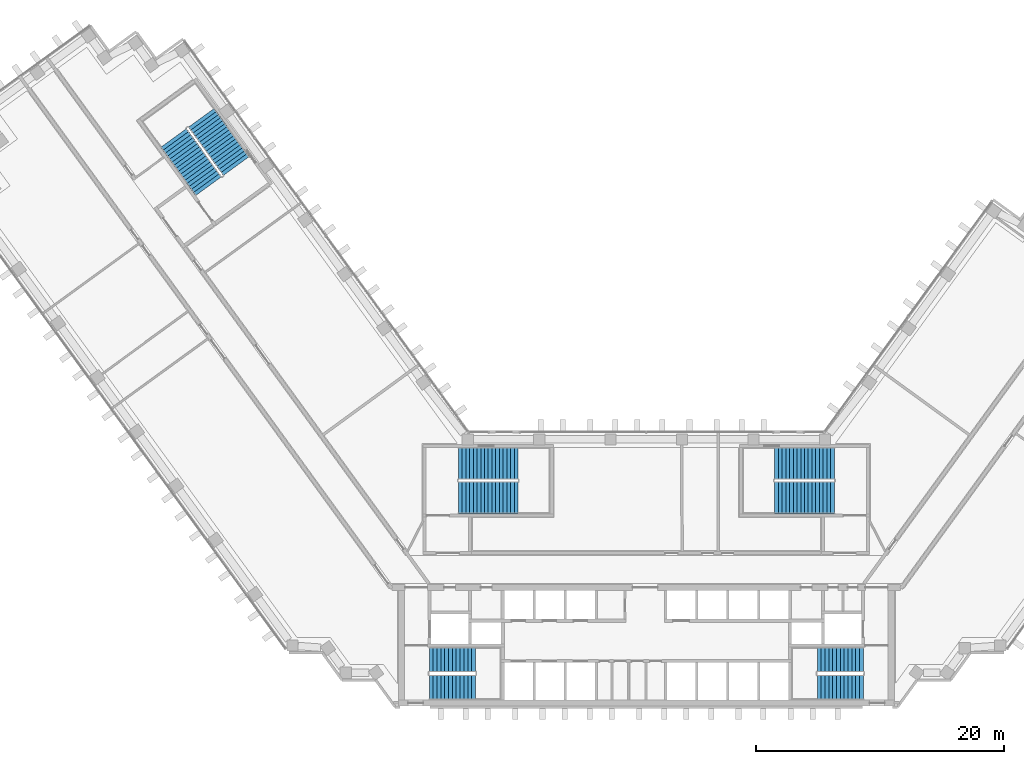
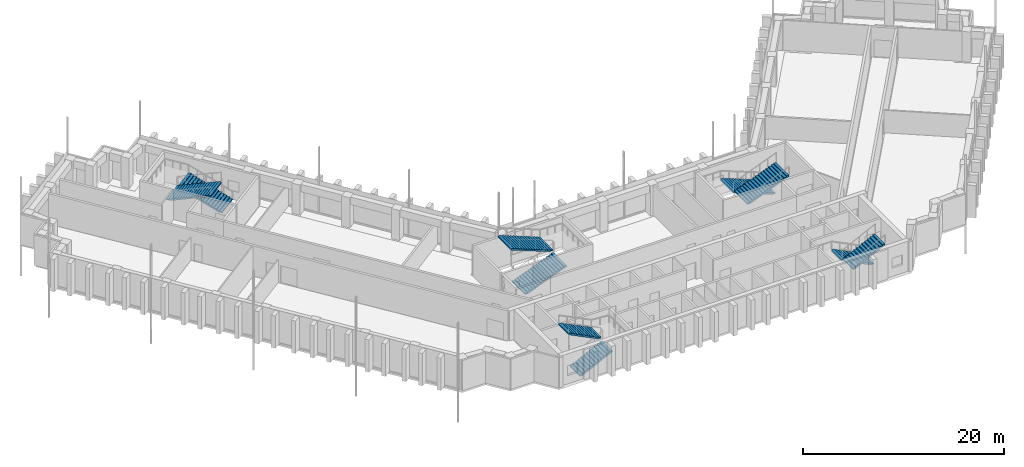
# One storey, part 14 of 16: 10 stair flights, 5 elements without a shape of their own.
"""IFC4 building model written with IfcOpenShell, lengths in metres."""

from ifc_helpers import new_model, si_unit, direction, frame, origin, place, context, subcontext, project, spatial, polyline, outline, extrude, material, type_object, element, aggregate, save


model = new_model("IFC4")

# Units and contexts
model_context = context("Model", 3, precision=1e-05, world=origin(), true_north=direction((0.0, 1.0)))
body_context = subcontext(model_context, "Body", "Model", "MODEL_VIEW")
ifc_project = project(units=[si_unit("LENGTHUNIT", "METRE"), si_unit("AREAUNIT", "SQUARE_METRE"), si_unit("VOLUMEUNIT", "CUBIC_METRE"), si_unit("PLANEANGLEUNIT", "RADIAN"), si_unit("MASSUNIT", "GRAM", prefix="KILO")], contexts=[model_context])

# Site, building, storey
site_placement = place(None, origin())
site = spatial("IfcSite", under=ifc_project, at=site_placement, CompositionType="ELEMENT")
building_placement = place(site_placement, origin())
building = spatial("IfcBuilding", under=site, at=building_placement, Name="Quipu Civic Tower", CompositionType="ELEMENT")
storey_placement = place(building_placement, frame((0.0, 0.0, 125.0)))
storey = spatial("IfcBuildingStorey", under=building, at=storey_placement, Name="L29", CompositionType="ELEMENT", Elevation=125.0)

# Stair, stair flights
ifc_material_1 = material(Name="Concrete C40/50", Category="concrete")
stair_type_1 = type_object("IfcStairType", Name="Half turn stair 2000", PredefinedType="HALF_TURN_STAIR", material=ifc_material_1)
stair_1_placement = place(storey_placement, origin())
stair_1 = element("IfcStair", 1, at=stair_1_placement, inside=storey, type_object=stair_type_1, Name="Exit stair 1", PredefinedType="HALF_TURN_STAIR")
ifc_material_2 = material(Name="Concrete C40/50", Category="concrete")
stair_flight_type_1 = type_object("IfcStairFlightType", Name="Stair flight 2000", PredefinedType="STRAIGHT", material=ifc_material_2)
stair_flight_1_placement = place(storey_placement, frame((-17.5, -9.5, 0.0), z_axis=(0.0, 0.0, 1.0), x_axis=(1.0, 0.0, 0.0)))
stair_flight_1 = element("IfcStairFlight", 2, at=stair_flight_1_placement, type_object=stair_flight_type_1, Name="ST-1 flight 1", NumberOfRisers=13, NumberOfTreads=12, PredefinedType="STRAIGHT", RiserHeight=0.153846154, TreadLength=0.31, context=body_context, shape_type="SweptSolid", body=[
    extrude(outline(polyline([(0.0, 0.0), (0.0, 0.15380859375), (0.31005859375, 0.15380859375), (0.31005859375, 0.3076171875), (0.6201171875, 0.3076171875), (0.6201171875, 0.46142578125), (0.929931640625, 0.46142578125), (0.929931640625, 0.615478515625), (1.239990234375, 0.615478515625), (1.239990234375, 0.769287109375), (1.550048828125, 0.769287109375), (1.550048828125, 0.923095703125), (1.860107421875, 0.923095703125), (1.860107421875, 1.076904296875), (2.169921875, 1.076904296875), (2.169921875, 1.230712890625), (2.47998046875, 1.230712890625), (2.47998046875, 1.384521484375), (2.7900390625, 1.384521484375), (2.7900390625, 1.53857421875), (3.10009765625, 1.53857421875), (3.10009765625, 1.6923828125), (3.409912109375, 1.6923828125), (3.409912109375, 1.84619140625), (3.719970703125, 1.84619140625), (3.719970703125, 2.0), (3.719970703125, 1.6787109375), (0.337158203125, 0.0), (0.0, 0.0)])), frame((0.0, 1.0, 0.0), z_axis=(0.0, -1.0, 0.0), x_axis=(1.0, 0.0, 0.0)), (0.0, 0.0, 1.0), 2.0),
])
stair_flight_2_placement = place(storey_placement, frame((-13.780029296875, -7.25, 2.0), z_axis=(0.0, 0.0, 1.0), x_axis=(-1.0, 0.0, 0.0)))
stair_flight_2 = element("IfcStairFlight", 3, at=stair_flight_2_placement, type_object=stair_flight_type_1, Name="ST-1 flight 2", NumberOfRisers=13, NumberOfTreads=12, PredefinedType="STRAIGHT", RiserHeight=0.153846154, TreadLength=0.31, context=body_context, shape_type="SweptSolid", body=[
    extrude(outline(polyline([(0.0, 0.0), (0.0, 0.15380859375), (0.31005859375, 0.15380859375), (0.31005859375, 0.3076171875), (0.6201171875, 0.3076171875), (0.6201171875, 0.46142578125), (0.929931640625, 0.46142578125), (0.929931640625, 0.615478515625), (1.239990234375, 0.615478515625), (1.239990234375, 0.769287109375), (1.550048828125, 0.769287109375), (1.550048828125, 0.923095703125), (1.860107421875, 0.923095703125), (1.860107421875, 1.076904296875), (2.169921875, 1.076904296875), (2.169921875, 1.230712890625), (2.47998046875, 1.230712890625), (2.47998046875, 1.384521484375), (2.7900390625, 1.384521484375), (2.7900390625, 1.53857421875), (3.10009765625, 1.53857421875), (3.10009765625, 1.6923828125), (3.409912109375, 1.6923828125), (3.409912109375, 1.84619140625), (3.719970703125, 1.84619140625), (3.719970703125, 2.0), (3.719970703125, 1.6787109375), (0.337158203125, 0.0), (0.0, 0.0)])), frame((0.0, 1.0, 0.0), z_axis=(0.0, -1.0, 0.0), x_axis=(1.0, 0.0, 0.0)), (0.0, 0.0, 1.0), 2.0),
])
aggregate(stair_1, [stair_flight_1, stair_flight_2])

stair_2_placement = place(storey_placement, origin())
stair_2 = element("IfcStair", 4, at=stair_2_placement, inside=storey, type_object=stair_type_1, Name="Exit stair 2", PredefinedType="HALF_TURN_STAIR")
stair_flight_3_placement = place(storey_placement, frame((17.5, -7.25, 0.0), z_axis=(0.0, 0.0, 1.0), x_axis=(-1.0, 0.0, 0.0)))
stair_flight_3 = element("IfcStairFlight", 5, at=stair_flight_3_placement, type_object=stair_flight_type_1, Name="ST-2 flight 1", NumberOfRisers=13, NumberOfTreads=12, PredefinedType="STRAIGHT", RiserHeight=0.153846154, TreadLength=0.31, context=body_context, shape_type="SweptSolid", body=[
    extrude(outline(polyline([(0.0, 0.0), (0.0, 0.15380859375), (0.31005859375, 0.15380859375), (0.31005859375, 0.3076171875), (0.6201171875, 0.3076171875), (0.6201171875, 0.46142578125), (0.929931640625, 0.46142578125), (0.929931640625, 0.615478515625), (1.239990234375, 0.615478515625), (1.239990234375, 0.769287109375), (1.550048828125, 0.769287109375), (1.550048828125, 0.923095703125), (1.860107421875, 0.923095703125), (1.860107421875, 1.076904296875), (2.169921875, 1.076904296875), (2.169921875, 1.230712890625), (2.47998046875, 1.230712890625), (2.47998046875, 1.384521484375), (2.7900390625, 1.384521484375), (2.7900390625, 1.53857421875), (3.10009765625, 1.53857421875), (3.10009765625, 1.6923828125), (3.409912109375, 1.6923828125), (3.409912109375, 1.84619140625), (3.719970703125, 1.84619140625), (3.719970703125, 2.0), (3.719970703125, 1.6787109375), (0.337158203125, 0.0), (0.0, 0.0)])), frame((0.0, 1.0, 0.0), z_axis=(0.0, -1.0, 0.0), x_axis=(1.0, 0.0, 0.0)), (0.0, 0.0, 1.0), 2.0),
])
stair_flight_4_placement = place(storey_placement, frame((13.780029296875, -9.5, 2.0), z_axis=(0.0, 0.0, 1.0), x_axis=(1.0, 0.0, 0.0)))
stair_flight_4 = element("IfcStairFlight", 6, at=stair_flight_4_placement, type_object=stair_flight_type_1, Name="ST-2 flight 2", NumberOfRisers=13, NumberOfTreads=12, PredefinedType="STRAIGHT", RiserHeight=0.153846154, TreadLength=0.31, context=body_context, shape_type="SweptSolid", body=[
    extrude(outline(polyline([(0.0, 0.0), (0.0, 0.15380859375), (0.31005859375, 0.15380859375), (0.31005859375, 0.3076171875), (0.6201171875, 0.3076171875), (0.6201171875, 0.46142578125), (0.929931640625, 0.46142578125), (0.929931640625, 0.615478515625), (1.239990234375, 0.615478515625), (1.239990234375, 0.769287109375), (1.550048828125, 0.769287109375), (1.550048828125, 0.923095703125), (1.860107421875, 0.923095703125), (1.860107421875, 1.076904296875), (2.169921875, 1.076904296875), (2.169921875, 1.230712890625), (2.47998046875, 1.230712890625), (2.47998046875, 1.384521484375), (2.7900390625, 1.384521484375), (2.7900390625, 1.53857421875), (3.10009765625, 1.53857421875), (3.10009765625, 1.6923828125), (3.409912109375, 1.6923828125), (3.409912109375, 1.84619140625), (3.719970703125, 1.84619140625), (3.719970703125, 2.0), (3.719970703125, 1.6787109375), (0.337158203125, 0.0), (0.0, 0.0)])), frame((0.0, 1.0, 0.0), z_axis=(0.0, -1.0, 0.0), x_axis=(1.0, 0.0, 0.0)), (0.0, 0.0, 1.0), 2.0),
])
aggregate(stair_2, [stair_flight_3, stair_flight_4])

ifc_material_3 = material(Name="Concrete C40/50", Category="concrete")
stair_type_2 = type_object("IfcStairType", Name="Half turn stair 2600", PredefinedType="HALF_TURN_STAIR", material=ifc_material_3)
stair_3_placement = place(storey_placement, origin())
stair_3 = element("IfcStair", 7, at=stair_3_placement, inside=storey, type_object=stair_type_2, Name="Exit stair 3", PredefinedType="HALF_TURN_STAIR")
ifc_material_4 = material(Name="Concrete C40/50", Category="concrete")
stair_flight_type_2 = type_object("IfcStairFlightType", Name="Stair flight 2600", PredefinedType="STRAIGHT", material=ifc_material_4)
stair_flight_5_placement = place(storey_placement, frame((-15.14990234375, 5.800048828125, 0.0), z_axis=(0.0, 0.0, 1.0), x_axis=(1.0, 0.0, 0.0)))
stair_flight_5 = element("IfcStairFlight", 8, at=stair_flight_5_placement, type_object=stair_flight_type_2, Name="ST-3 flight 1", NumberOfRisers=17, NumberOfTreads=16, PredefinedType="STRAIGHT", RiserHeight=0.117647059, TreadLength=0.3, context=body_context, shape_type="SweptSolid", body=[
    extrude(outline(polyline([(0.0, 0.0), (0.0, 0.11767578125), (0.300048828125, 0.11767578125), (0.300048828125, 0.2353515625), (0.60009765625, 0.2353515625), (0.60009765625, 0.35302734375), (0.89990234375, 0.35302734375), (0.89990234375, 0.470703125), (1.199951171875, 0.470703125), (1.199951171875, 0.588134765625), (1.5, 0.588134765625), (1.5, 0.705810546875), (1.800048828125, 0.705810546875), (1.800048828125, 0.823486328125), (2.10009765625, 0.823486328125), (2.10009765625, 0.941162109375), (2.39990234375, 0.941162109375), (2.39990234375, 1.058837890625), (2.699951171875, 1.058837890625), (2.699951171875, 1.176513671875), (3.0, 1.176513671875), (3.0, 1.294189453125), (3.300048828125, 1.294189453125), (3.300048828125, 1.411865234375), (3.60009765625, 1.411865234375), (3.60009765625, 1.529296875), (3.89990234375, 1.529296875), (3.89990234375, 1.64697265625), (4.199951171875, 1.64697265625), (4.199951171875, 1.7646484375), (4.5, 1.7646484375), (4.5, 1.88232421875), (4.800048828125, 1.88232421875), (4.800048828125, 2.0), (4.800048828125, 1.721435546875), (0.41064453125, 0.0), (0.0, 0.0)])), frame((0.0, 1.300048828125, 0.0), z_axis=(0.0, -1.0, 0.0), x_axis=(1.0, 0.0, 0.0)), (0.0, 0.0, 1.0), 2.60009765625),
])
stair_flight_6_placement = place(storey_placement, frame((-10.35009765625, 8.550048828125, 2.0), z_axis=(0.0, 0.0, 1.0), x_axis=(-1.0, 0.0, 0.0)))
stair_flight_6 = element("IfcStairFlight", 9, at=stair_flight_6_placement, type_object=stair_flight_type_2, Name="ST-3 flight 2", NumberOfRisers=17, NumberOfTreads=16, PredefinedType="STRAIGHT", RiserHeight=0.117647059, TreadLength=0.3, context=body_context, shape_type="SweptSolid", body=[
    extrude(outline(polyline([(0.0, 0.0), (0.0, 0.11767578125), (0.300048828125, 0.11767578125), (0.300048828125, 0.2353515625), (0.60009765625, 0.2353515625), (0.60009765625, 0.35302734375), (0.89990234375, 0.35302734375), (0.89990234375, 0.470703125), (1.199951171875, 0.470703125), (1.199951171875, 0.588134765625), (1.5, 0.588134765625), (1.5, 0.705810546875), (1.800048828125, 0.705810546875), (1.800048828125, 0.823486328125), (2.10009765625, 0.823486328125), (2.10009765625, 0.941162109375), (2.39990234375, 0.941162109375), (2.39990234375, 1.058837890625), (2.699951171875, 1.058837890625), (2.699951171875, 1.176513671875), (3.0, 1.176513671875), (3.0, 1.294189453125), (3.300048828125, 1.294189453125), (3.300048828125, 1.411865234375), (3.60009765625, 1.411865234375), (3.60009765625, 1.529296875), (3.89990234375, 1.529296875), (3.89990234375, 1.64697265625), (4.199951171875, 1.64697265625), (4.199951171875, 1.7646484375), (4.5, 1.7646484375), (4.5, 1.88232421875), (4.800048828125, 1.88232421875), (4.800048828125, 2.0), (4.800048828125, 1.721435546875), (0.41064453125, 0.0), (0.0, 0.0)])), frame((0.0, 1.300048828125, 0.0), z_axis=(0.0, -1.0, 0.0), x_axis=(1.0, 0.0, 0.0)), (0.0, 0.0, 1.0), 2.60009765625),
])
aggregate(stair_3, [stair_flight_5, stair_flight_6])

stair_4_placement = place(storey_placement, origin())
stair_4 = element("IfcStair", 10, at=stair_4_placement, inside=storey, type_object=stair_type_2, Name="Exit stair 4", PredefinedType="HALF_TURN_STAIR")
stair_flight_7_placement = place(storey_placement, frame((15.14990234375, 8.550048828125, 0.0), z_axis=(0.0, 0.0, 1.0), x_axis=(-1.0, 0.0, 0.0)))
stair_flight_7 = element("IfcStairFlight", 11, at=stair_flight_7_placement, type_object=stair_flight_type_2, Name="ST-4 flight 1", NumberOfRisers=17, NumberOfTreads=16, PredefinedType="STRAIGHT", RiserHeight=0.117647059, TreadLength=0.3, context=body_context, shape_type="SweptSolid", body=[
    extrude(outline(polyline([(0.0, 0.0), (0.0, 0.11767578125), (0.300048828125, 0.11767578125), (0.300048828125, 0.2353515625), (0.60009765625, 0.2353515625), (0.60009765625, 0.35302734375), (0.89990234375, 0.35302734375), (0.89990234375, 0.470703125), (1.199951171875, 0.470703125), (1.199951171875, 0.588134765625), (1.5, 0.588134765625), (1.5, 0.705810546875), (1.800048828125, 0.705810546875), (1.800048828125, 0.823486328125), (2.10009765625, 0.823486328125), (2.10009765625, 0.941162109375), (2.39990234375, 0.941162109375), (2.39990234375, 1.058837890625), (2.699951171875, 1.058837890625), (2.699951171875, 1.176513671875), (3.0, 1.176513671875), (3.0, 1.294189453125), (3.300048828125, 1.294189453125), (3.300048828125, 1.411865234375), (3.60009765625, 1.411865234375), (3.60009765625, 1.529296875), (3.89990234375, 1.529296875), (3.89990234375, 1.64697265625), (4.199951171875, 1.64697265625), (4.199951171875, 1.7646484375), (4.5, 1.7646484375), (4.5, 1.88232421875), (4.800048828125, 1.88232421875), (4.800048828125, 2.0), (4.800048828125, 1.721435546875), (0.41064453125, 0.0), (0.0, 0.0)])), frame((0.0, 1.300048828125, 0.0), z_axis=(0.0, -1.0, 0.0), x_axis=(1.0, 0.0, 0.0)), (0.0, 0.0, 1.0), 2.60009765625),
])
stair_flight_8_placement = place(storey_placement, frame((10.35009765625, 5.800048828125, 2.0), z_axis=(0.0, 0.0, 1.0), x_axis=(1.0, 0.0, 0.0)))
stair_flight_8 = element("IfcStairFlight", 12, at=stair_flight_8_placement, type_object=stair_flight_type_2, Name="ST-4 flight 2", NumberOfRisers=17, NumberOfTreads=16, PredefinedType="STRAIGHT", RiserHeight=0.117647059, TreadLength=0.3, context=body_context, shape_type="SweptSolid", body=[
    extrude(outline(polyline([(0.0, 0.0), (0.0, 0.11767578125), (0.300048828125, 0.11767578125), (0.300048828125, 0.2353515625), (0.60009765625, 0.2353515625), (0.60009765625, 0.35302734375), (0.89990234375, 0.35302734375), (0.89990234375, 0.470703125), (1.199951171875, 0.470703125), (1.199951171875, 0.588134765625), (1.5, 0.588134765625), (1.5, 0.705810546875), (1.800048828125, 0.705810546875), (1.800048828125, 0.823486328125), (2.10009765625, 0.823486328125), (2.10009765625, 0.941162109375), (2.39990234375, 0.941162109375), (2.39990234375, 1.058837890625), (2.699951171875, 1.058837890625), (2.699951171875, 1.176513671875), (3.0, 1.176513671875), (3.0, 1.294189453125), (3.300048828125, 1.294189453125), (3.300048828125, 1.411865234375), (3.60009765625, 1.411865234375), (3.60009765625, 1.529296875), (3.89990234375, 1.529296875), (3.89990234375, 1.64697265625), (4.199951171875, 1.64697265625), (4.199951171875, 1.7646484375), (4.5, 1.7646484375), (4.5, 1.88232421875), (4.800048828125, 1.88232421875), (4.800048828125, 2.0), (4.800048828125, 1.721435546875), (0.41064453125, 0.0), (0.0, 0.0)])), frame((0.0, 1.300048828125, 0.0), z_axis=(0.0, -1.0, 0.0), x_axis=(1.0, 0.0, 0.0)), (0.0, 0.0, 1.0), 2.60009765625),
])
aggregate(stair_4, [stair_flight_7, stair_flight_8])

stair_5_placement = place(storey_placement, origin())
stair_5 = element("IfcStair", 13, at=stair_5_placement, inside=storey, type_object=stair_type_2, Name="Exit stair 6", PredefinedType="HALF_TURN_STAIR")
stair_flight_9_placement = place(storey_placement, frame((-33.067626953125, 32.5322265625, 0.0), z_axis=(0.0, 0.0, 1.0), x_axis=(-0.587785252292, 0.809016994375, 0.0)))
stair_flight_9 = element("IfcStairFlight", 14, at=stair_flight_9_placement, type_object=stair_flight_type_2, Name="ST-6 flight 1", NumberOfRisers=17, NumberOfTreads=16, PredefinedType="STRAIGHT", RiserHeight=0.117647059, TreadLength=0.3, context=body_context, shape_type="SweptSolid", body=[
    extrude(outline(polyline([(0.0, 0.0), (0.0, 0.11767578125), (0.300048828125, 0.11767578125), (0.300048828125, 0.2353515625), (0.60009765625, 0.2353515625), (0.60009765625, 0.35302734375), (0.89990234375, 0.35302734375), (0.89990234375, 0.470703125), (1.199951171875, 0.470703125), (1.199951171875, 0.588134765625), (1.5, 0.588134765625), (1.5, 0.705810546875), (1.800048828125, 0.705810546875), (1.800048828125, 0.823486328125), (2.10009765625, 0.823486328125), (2.10009765625, 0.941162109375), (2.39990234375, 0.941162109375), (2.39990234375, 1.058837890625), (2.699951171875, 1.058837890625), (2.699951171875, 1.176513671875), (3.0, 1.176513671875), (3.0, 1.294189453125), (3.300048828125, 1.294189453125), (3.300048828125, 1.411865234375), (3.60009765625, 1.411865234375), (3.60009765625, 1.529296875), (3.89990234375, 1.529296875), (3.89990234375, 1.64697265625), (4.199951171875, 1.64697265625), (4.199951171875, 1.7646484375), (4.5, 1.7646484375), (4.5, 1.88232421875), (4.800048828125, 1.88232421875), (4.800048828125, 2.0), (4.800048828125, 1.721435546875), (0.41064453125, 0.0), (0.0, 0.0)])), frame((0.0, 1.300048828125, 0.0), z_axis=(0.0, -1.0, 0.0), x_axis=(1.0, 0.0, 0.0)), (0.0, 0.0, 1.0), 2.60009765625),
])
stair_flight_10_placement = place(storey_placement, frame((-38.11376953125, 34.799072265625, 2.0), z_axis=(0.0, 0.0, 1.0), x_axis=(0.587785252292, -0.809016994375, 0.0)))
stair_flight_10 = element("IfcStairFlight", 15, at=stair_flight_10_placement, type_object=stair_flight_type_2, Name="ST-6 flight 2", NumberOfRisers=17, NumberOfTreads=16, PredefinedType="STRAIGHT", RiserHeight=0.117647059, TreadLength=0.3, context=body_context, shape_type="SweptSolid", body=[
    extrude(outline(polyline([(0.0, 0.0), (0.0, 0.11767578125), (0.300048828125, 0.11767578125), (0.300048828125, 0.2353515625), (0.60009765625, 0.2353515625), (0.60009765625, 0.35302734375), (0.89990234375, 0.35302734375), (0.89990234375, 0.470703125), (1.199951171875, 0.470703125), (1.199951171875, 0.588134765625), (1.5, 0.588134765625), (1.5, 0.705810546875), (1.800048828125, 0.705810546875), (1.800048828125, 0.823486328125), (2.10009765625, 0.823486328125), (2.10009765625, 0.941162109375), (2.39990234375, 0.941162109375), (2.39990234375, 1.058837890625), (2.699951171875, 1.058837890625), (2.699951171875, 1.176513671875), (3.0, 1.176513671875), (3.0, 1.294189453125), (3.300048828125, 1.294189453125), (3.300048828125, 1.411865234375), (3.60009765625, 1.411865234375), (3.60009765625, 1.529296875), (3.89990234375, 1.529296875), (3.89990234375, 1.64697265625), (4.199951171875, 1.64697265625), (4.199951171875, 1.7646484375), (4.5, 1.7646484375), (4.5, 1.88232421875), (4.800048828125, 1.88232421875), (4.800048828125, 2.0), (4.800048828125, 1.721435546875), (0.41064453125, 0.0), (0.0, 0.0)])), frame((0.0, 1.300048828125, 0.0), z_axis=(0.0, -1.0, 0.0), x_axis=(1.0, 0.0, 0.0)), (0.0, 0.0, 1.0), 2.60009765625),
])
aggregate(stair_5, [stair_flight_9, stair_flight_10])

save(model, "model.ifc")
